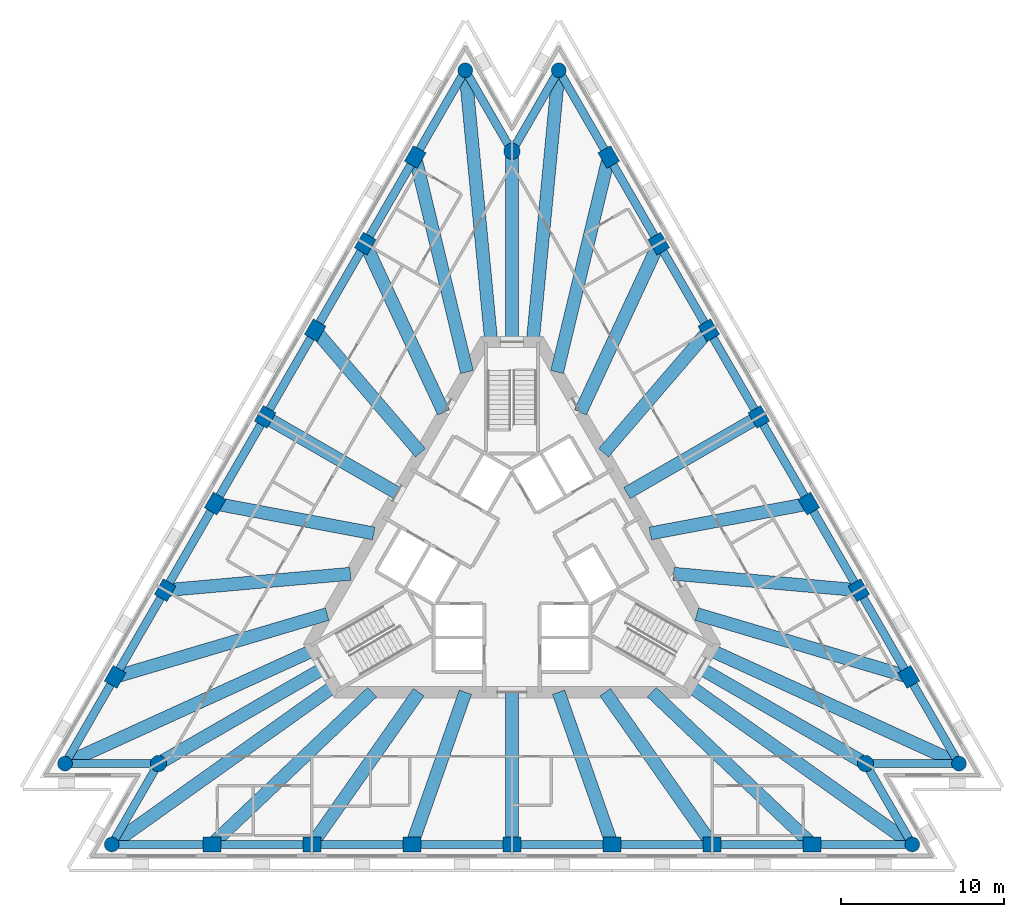
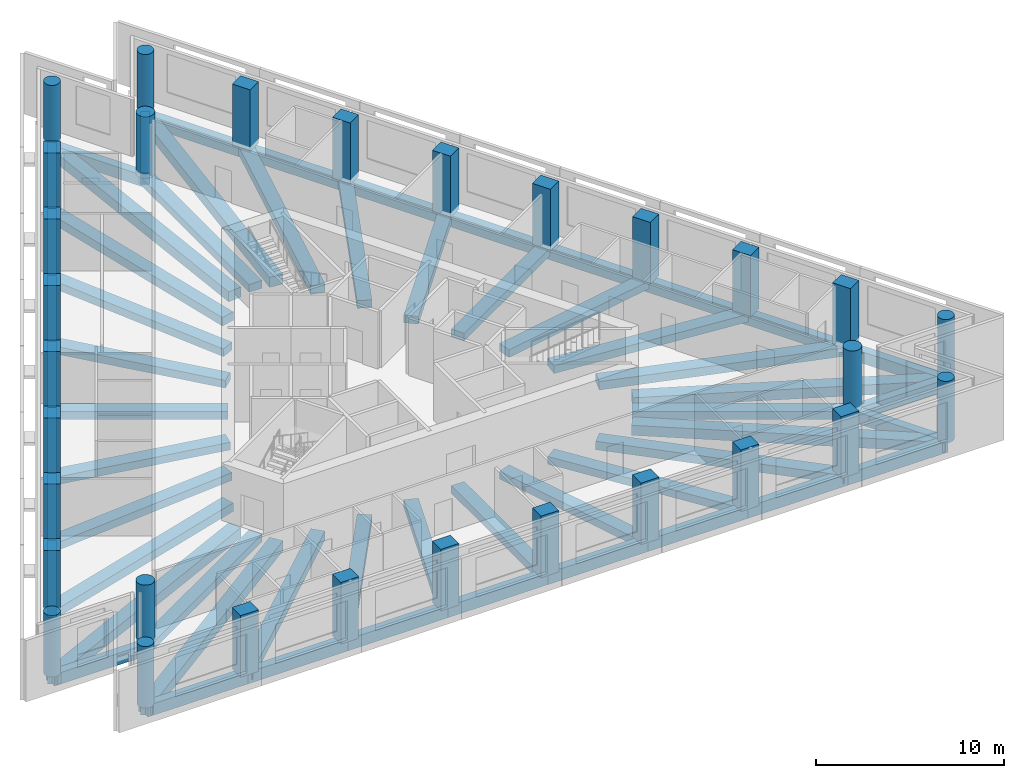
# One storey, part 1 of 9: 60 beams, 30 columns.
"""IFC4 building model written with IfcOpenShell, lengths in metres."""

from ifc_helpers import new_model, si_unit, direction, frame, origin, origin_2d, place, context, subcontext, project, spatial, rectangle, circle, extrude, material, material_profile, profile_set, type_object, element, save


model = new_model("IFC4")

# Units and contexts
model_context = context("Model", 3, precision=1e-05, world=origin(), true_north=direction((0.0, 1.0)))
body_context = subcontext(model_context, "Body", "Model", "MODEL_VIEW")
ifc_project = project(units=[si_unit("LENGTHUNIT", "METRE"), si_unit("AREAUNIT", "SQUARE_METRE"), si_unit("VOLUMEUNIT", "CUBIC_METRE"), si_unit("PLANEANGLEUNIT", "RADIAN"), si_unit("MASSUNIT", "GRAM", prefix="KILO")], contexts=[model_context])

# Site, building, storey
site_placement = place(None, origin())
site = spatial("IfcSite", under=ifc_project, at=site_placement, CompositionType="ELEMENT")
building_placement = place(site_placement, origin())
building = spatial("IfcBuilding", under=site, at=building_placement, Name="Triada Interchange Tower", CompositionType="ELEMENT")
storey_placement = place(building_placement, frame((0.0, 0.0, 211.300048828125)))
storey = spatial("IfcBuildingStorey", under=building, at=storey_placement, Name="L49", CompositionType="ELEMENT", Elevation=211.300048828125)

# Columns
ifc_material = material(Name="Concrete C50/60", Category="concrete")
ifc_material_profile_1 = material_profile(ifc_material, rectangle(XDim=1.10009765625, YDim=0.89990234375, at=origin_2d()), Name="RC 1100x900")
ifc_profile_set_1 = profile_set([ifc_material_profile_1], Name="Concrete C50/60")
column_type_1 = type_object("IfcColumnType", Name="Column C face RC 1100x900", PredefinedType="COLUMN", material=ifc_profile_set_1)
for number, where, z_axis, x_axis, name in (
    (1, (-5.94091796875, 24.714111328125, -0.300048828125), (0.0, 0.0, 1.0), (0.5, 0.866025403784, 0.0), "Column CC02 L49"),
    (2, (-9.012939453125, 19.39306640625, -0.300048828125), (0.0, 0.0, 1.0), (0.5, 0.866025403784, 0.0), "Column CC03 L49"),
    (3, (-12.0849609375, 14.072021484375, -0.300048828125), (0.0, 0.0, 1.0), (0.5, 0.866025403784, 0.0), "Column CC04 L49"),
    (4, (-15.157958984375, 8.7509765625, -0.300048828125), (0.0, 0.0, 1.0), (0.5, 0.866025403784, 0.0), "Column CC05 L49"),
    (5, (-18.22998046875, 3.429931640625, -0.300048828125), (0.0, 0.0, 1.0), (0.5, 0.866025403784, 0.0), "Column CC06 L49"),
    (6, (-21.302001953125, -1.89111328125, -0.300048828125), (0.0, 0.0, 1.0), (0.5, 0.866025403784, 0.0), "Column CC07 L49"),
    (7, (-24.3740234375, -7.2119140625, -0.300048828125), (0.0, 0.0, 1.0), (0.5, 0.866025403784, 0.0), "Column CC08 L49"),
    (8, (-18.43310546875, -17.501953125, -0.300048828125), (0.0, 0.0, 1.0), (1.0, 0.0, 0.0), "Column CC11 L49"),
    (9, (-12.2880859375, -17.501953125, -0.300048828125), (0.0, 0.0, 1.0), (1.0, 0.0, 0.0), "Column CC12 L49"),
    (10, (-6.14404296875, -17.501953125, -0.300048828125), (0.0, 0.0, 1.0), (1.0, 0.0, 0.0), "Column CC13 L49"),
    (11, (0.0, -17.501953125, -0.300048828125), (0.0, 0.0, 1.0), (1.0, 0.0, 0.0), "Column CC14 L49"),
    (12, (6.14404296875, -17.501953125, -0.300048828125), (0.0, 0.0, 1.0), (1.0, 0.0, 0.0), "Column CC15 L49"),
    (13, (12.2890625, -17.501953125, -0.300048828125), (0.0, 0.0, 1.0), (1.0, 0.0, 0.0), "Column CC16 L49"),
    (14, (18.43310546875, -17.501953125, -0.300048828125), (0.0, 0.0, 1.0), (1.0, 0.0, 0.0), "Column CC17 L49"),
    (15, (24.3740234375, -7.2119140625, -0.300048828125), (0.0, 0.0, 1.0), (-0.5, 0.866025403784, 0.0), "Column CC20 L49"),
    (16, (21.302001953125, -1.89111328125, -0.300048828125), (0.0, 0.0, 1.0), (-0.5, 0.866025403784, 0.0), "Column CC21 L49"),
    (17, (18.22998046875, 3.429931640625, -0.300048828125), (0.0, 0.0, 1.0), (-0.5, 0.866025403784, 0.0), "Column CC22 L49"),
    (18, (15.157958984375, 8.7509765625, -0.300048828125), (0.0, 0.0, 1.0), (-0.5, 0.866025403784, 0.0), "Column CC23 L49"),
    (19, (12.0849609375, 14.072021484375, -0.300048828125), (0.0, 0.0, 1.0), (-0.5, 0.866025403784, 0.0), "Column CC24 L49"),
    (20, (9.012939453125, 19.39306640625, -0.300048828125), (0.0, 0.0, 1.0), (-0.5, 0.866025403784, 0.0), "Column CC25 L49"),
    (21, (5.94091796875, 24.714111328125, -0.300048828125), (0.0, 0.0, 1.0), (-0.5, 0.866025403784, 0.0), "Column CC26 L49"),
):
    element("IfcColumn", number, at=place(storey_placement, frame(where, z_axis=z_axis, x_axis=x_axis)), inside=storey, type_object=column_type_1, Name=name, PredefinedType="COLUMN", context=body_context, shape_type="SweptSolid", body=[
        extrude(rectangle(XDim=1.10009765625, YDim=0.89990234375, at=origin_2d()), origin(), (0.0, 0.0, 1.0), 4.0),
    ])
ifc_material_profile_2 = material_profile(ifc_material, circle(Radius=0.449951171875, at=origin_2d()), Name="RC D900")
ifc_profile_set_2 = profile_set([ifc_material_profile_2], Name="Concrete C50/60")
column_type_2 = type_object("IfcColumnType", Name="End column C RC D900", PredefinedType="COLUMN", material=ifc_profile_set_2)
for number, where, z_axis, x_axis, name in (
    (22, (-2.868896484375, 30.034912109375, -0.300048828125), (0.0, 0.0, 1.0), (0.5, 0.866025403784, 0.0), "Column CC01 L49"),
    (23, (-27.446044921875, -12.532958984375, -0.300048828125), (0.0, 0.0, 1.0), (0.5, 0.866025403784, 0.0), "Column CC09 L49"),
    (24, (-24.576904296875, -17.501953125, -0.300048828125), (0.0, 0.0, 1.0), (1.0, 0.0, 0.0), "Column CC10 L49"),
    (25, (24.576904296875, -17.501953125, -0.300048828125), (0.0, 0.0, 1.0), (1.0, 0.0, 0.0), "Column CC18 L49"),
    (26, (27.446044921875, -12.532958984375, -0.300048828125), (0.0, 0.0, 1.0), (-0.5, 0.866025403784, 0.0), "Column CC19 L49"),
    (27, (2.868896484375, 30.034912109375, -0.300048828125), (0.0, 0.0, 1.0), (-0.5, 0.866025403784, 0.0), "Column CC27 L49"),
):
    element("IfcColumn", number, at=place(storey_placement, frame(where, z_axis=z_axis, x_axis=x_axis)), inside=storey, type_object=column_type_2, Name=name, PredefinedType="COLUMN", context=body_context, shape_type="SweptSolid", body=[
        extrude(circle(Radius=0.449951171875, at=origin_2d()), origin(), (0.0, 0.0, 1.0), 4.0),
    ])
ifc_material_profile_3 = material_profile(ifc_material, circle(Radius=0.5, at=origin_2d()), Name="RC D1000")
ifc_profile_set_3 = profile_set([ifc_material_profile_3], Name="Concrete C50/60")
column_type_3 = type_object("IfcColumnType", Name="Mega column C RC D1000", PredefinedType="COLUMN", material=ifc_profile_set_3)
for number, where, z_axis, x_axis, name in (
    (28, (0.0, 25.06689453125, -0.300048828125), (0.0, 0.0, 1.0), (1.0, 0.0, 0.0), "Column MC1 L49"),
    (29, (-21.7080078125, -12.532958984375, -0.300048828125), (0.0, 0.0, 1.0), (1.0, 0.0, 0.0), "Column MC2 L49"),
    (30, (21.7080078125, -12.532958984375, -0.300048828125), (0.0, 0.0, 1.0), (1.0, 0.0, 0.0), "Column MC3 L49"),
):
    element("IfcColumn", number, at=place(storey_placement, frame(where, z_axis=z_axis, x_axis=x_axis)), inside=storey, type_object=column_type_3, Name=name, PredefinedType="COLUMN", context=body_context, shape_type="SweptSolid", body=[
        extrude(circle(Radius=0.5, at=origin_2d()), origin(), (0.0, 0.0, 1.0), 4.0),
    ])

# Beams
ifc_material_profile_4 = material_profile(ifc_material, rectangle(XDim=0.800048828125, YDim=0.5, at=origin_2d()), Name="RC 800x500")
ifc_profile_set_4 = profile_set([ifc_material_profile_4], Name="Concrete C50/60")
beam_type_1 = type_object("IfcBeamType", Name="Radial band beam C RC 800x500", PredefinedType="BEAM", material=ifc_profile_set_4)
beam_1_placement = place(storey_placement, frame((-9.012939453125, 19.39306640625, -0.550048828125), z_axis=(0.421435804437, -0.906858237399, 0.0), x_axis=(0.906858237399, 0.421435804437, 0.0)))
element("IfcBeam", 31, at=beam_1_placement, inside=storey, type_object=beam_type_1, Name="Radial band beam BC03 L49", PredefinedType="BEAM", context=body_context, shape_type="SweptSolid", body=[
    extrude(rectangle(XDim=0.800048828125, YDim=0.5, at=origin_2d()), origin(), (0.0, 0.0, 1.0), 11.427490234375),
])
beam_2_placement = place(storey_placement, frame((-12.0849609375, 14.072021484375, -0.550048828125), z_axis=(0.651553753788, -0.758602468969, 0.0), x_axis=(0.758602468969, 0.651553753788, 0.0)))
element("IfcBeam", 32, at=beam_2_placement, inside=storey, type_object=beam_type_1, Name="Radial band beam BC04 L49", PredefinedType="BEAM", context=body_context, shape_type="SweptSolid", body=[
    extrude(rectangle(XDim=0.800048828125, YDim=0.5, at=origin_2d()), origin(), (0.0, 0.0, 1.0), 9.91162109375),
])
beam_3_placement = place(storey_placement, frame((-15.157958984375, 8.7509765625, -0.550048828125), z_axis=(0.866045182482, -0.499965740726, 0.0), x_axis=(0.499965740726, 0.866045182482, 0.0)))
element("IfcBeam", 33, at=beam_3_placement, inside=storey, type_object=beam_type_1, Name="Radial band beam BC05 L49", PredefinedType="BEAM", context=body_context, shape_type="SweptSolid", body=[
    extrude(rectangle(XDim=0.800048828125, YDim=0.5, at=origin_2d()), origin(), (0.0, 0.0, 1.0), 9.352783203125),
])
beam_4_placement = place(storey_placement, frame((-18.22998046875, 3.429931640625, -0.550048828125), z_axis=(0.982751797305, -0.184929459239, 0.0), x_axis=(0.184929459239, 0.982751797305, 0.0)))
element("IfcBeam", 34, at=beam_4_placement, inside=storey, type_object=beam_type_1, Name="Radial band beam BC06 L49", PredefinedType="BEAM", context=body_context, shape_type="SweptSolid", body=[
    extrude(rectangle(XDim=0.800048828125, YDim=0.5, at=origin_2d()), origin(), (0.0, 0.0, 1.0), 9.911865234375),
])
beam_5_placement = place(storey_placement, frame((-21.302001953125, -1.89111328125, -0.550048828125), z_axis=(0.996086654395, 0.088381994407, 0.0), x_axis=(-0.088381994407, 0.996086654395, 0.0)))
element("IfcBeam", 35, at=beam_5_placement, inside=storey, type_object=beam_type_1, Name="Radial band beam BC07 L49", PredefinedType="BEAM", context=body_context, shape_type="SweptSolid", body=[
    extrude(rectangle(XDim=0.800048828125, YDim=0.5, at=origin_2d()), origin(), (0.0, 0.0, 1.0), 11.427734375),
])
beam_6_placement = place(storey_placement, frame((-21.7080078125, -12.532958984375, -0.550048828125), z_axis=(0.866021094919, 0.500007463099, 0.0), x_axis=(-0.500007463099, 0.866021094919, 0.0)))
element("IfcBeam", 36, at=beam_6_placement, inside=storey, type_object=beam_type_1, Name="Radial band beam BC10 L49", PredefinedType="BEAM", context=body_context, shape_type="SweptSolid", body=[
    extrude(rectangle(XDim=0.800048828125, YDim=0.5, at=origin_2d()), origin(), (0.0, 0.0, 1.0), 11.715576171875),
])
beam_7_placement = place(storey_placement, frame((-12.2880859375, -17.501953125, -0.550048828125), z_axis=(0.574620373641, 0.818420079297, 0.0), x_axis=(-0.818420079297, 0.574620373641, 0.0)))
element("IfcBeam", 37, at=beam_7_placement, inside=storey, type_object=beam_type_1, Name="Radial band beam BC13 L49", PredefinedType="BEAM", context=body_context, shape_type="SweptSolid", body=[
    extrude(rectangle(XDim=0.800048828125, YDim=0.5, at=origin_2d()), origin(), (0.0, 0.0, 1.0), 11.427001953125),
])
beam_8_placement = place(storey_placement, frame((-6.14404296875, -17.501953125, -0.550048828125), z_axis=(0.331225841465, 0.94355150466, 0.0), x_axis=(-0.94355150466, 0.331225841465, 0.0)))
element("IfcBeam", 38, at=beam_8_placement, inside=storey, type_object=beam_type_1, Name="Radial band beam BC14 L49", PredefinedType="BEAM", context=body_context, shape_type="SweptSolid", body=[
    extrude(rectangle(XDim=0.800048828125, YDim=0.5, at=origin_2d()), origin(), (0.0, 0.0, 1.0), 9.91162109375),
])
beam_9_placement = place(storey_placement, frame((0.0, -17.501953125, -0.550048828125), z_axis=(0.0, 1.0, 0.0), x_axis=(-1.0, 0.0, 0.0)))
element("IfcBeam", 39, at=beam_9_placement, inside=storey, type_object=beam_type_1, Name="Radial band beam BC15 L49", PredefinedType="BEAM", context=body_context, shape_type="SweptSolid", body=[
    extrude(rectangle(XDim=0.800048828125, YDim=0.5, at=origin_2d()), origin(), (0.0, 0.0, 1.0), 9.35205078125),
])
beam_10_placement = place(storey_placement, frame((6.14404296875, -17.501953125, -0.550048828125), z_axis=(-0.331225841465, 0.94355150466, 0.0), x_axis=(-0.94355150466, -0.331225841465, 0.0)))
element("IfcBeam", 40, at=beam_10_placement, inside=storey, type_object=beam_type_1, Name="Radial band beam BC16 L49", PredefinedType="BEAM", context=body_context, shape_type="SweptSolid", body=[
    extrude(rectangle(XDim=0.800048828125, YDim=0.5, at=origin_2d()), origin(), (0.0, 0.0, 1.0), 9.91162109375),
])
beam_11_placement = place(storey_placement, frame((12.2890625, -17.501953125, -0.550048828125), z_axis=(-0.574620373641, 0.818420079297, 0.0), x_axis=(-0.818420079297, -0.574620373641, 0.0)))
element("IfcBeam", 41, at=beam_11_placement, inside=storey, type_object=beam_type_1, Name="Radial band beam BC17 L49", PredefinedType="BEAM", context=body_context, shape_type="SweptSolid", body=[
    extrude(rectangle(XDim=0.800048828125, YDim=0.5, at=origin_2d()), origin(), (0.0, 0.0, 1.0), 11.427001953125),
])
beam_12_placement = place(storey_placement, frame((21.7080078125, -12.532958984375, -0.550048828125), z_axis=(-0.866021094919, 0.500007463099, 0.0), x_axis=(-0.500007463099, -0.866021094919, 0.0)))
element("IfcBeam", 42, at=beam_12_placement, inside=storey, type_object=beam_type_1, Name="Radial band beam BC20 L49", PredefinedType="BEAM", context=body_context, shape_type="SweptSolid", body=[
    extrude(rectangle(XDim=0.800048828125, YDim=0.5, at=origin_2d()), origin(), (0.0, 0.0, 1.0), 11.715576171875),
])
beam_13_placement = place(storey_placement, frame((21.302001953125, -1.89111328125, -0.550048828125), z_axis=(-0.996086654395, 0.088381994407, 0.0), x_axis=(-0.088381994407, -0.996086654395, 0.0)))
element("IfcBeam", 43, at=beam_13_placement, inside=storey, type_object=beam_type_1, Name="Radial band beam BC23 L49", PredefinedType="BEAM", context=body_context, shape_type="SweptSolid", body=[
    extrude(rectangle(XDim=0.800048828125, YDim=0.5, at=origin_2d()), origin(), (0.0, 0.0, 1.0), 11.427734375),
])
beam_14_placement = place(storey_placement, frame((18.22998046875, 3.429931640625, -0.550048828125), z_axis=(-0.982751797305, -0.184929459239, 0.0), x_axis=(0.184929459239, -0.982751797305, 0.0)))
element("IfcBeam", 44, at=beam_14_placement, inside=storey, type_object=beam_type_1, Name="Radial band beam BC24 L49", PredefinedType="BEAM", context=body_context, shape_type="SweptSolid", body=[
    extrude(rectangle(XDim=0.800048828125, YDim=0.5, at=origin_2d()), origin(), (0.0, 0.0, 1.0), 9.911865234375),
])
beam_15_placement = place(storey_placement, frame((15.157958984375, 8.7509765625, -0.550048828125), z_axis=(-0.866045182482, -0.499965740726, 0.0), x_axis=(0.499965740726, -0.866045182482, 0.0)))
element("IfcBeam", 45, at=beam_15_placement, inside=storey, type_object=beam_type_1, Name="Radial band beam BC25 L49", PredefinedType="BEAM", context=body_context, shape_type="SweptSolid", body=[
    extrude(rectangle(XDim=0.800048828125, YDim=0.5, at=origin_2d()), origin(), (0.0, 0.0, 1.0), 9.352783203125),
])
beam_16_placement = place(storey_placement, frame((12.0849609375, 14.072021484375, -0.550048828125), z_axis=(-0.651553753788, -0.758602468969, 0.0), x_axis=(0.758602468969, -0.651553753788, 0.0)))
element("IfcBeam", 46, at=beam_16_placement, inside=storey, type_object=beam_type_1, Name="Radial band beam BC26 L49", PredefinedType="BEAM", context=body_context, shape_type="SweptSolid", body=[
    extrude(rectangle(XDim=0.800048828125, YDim=0.5, at=origin_2d()), origin(), (0.0, 0.0, 1.0), 9.91162109375),
])
beam_17_placement = place(storey_placement, frame((9.012939453125, 19.39306640625, -0.550048828125), z_axis=(-0.421435804437, -0.906858237399, 0.0), x_axis=(0.906858237399, -0.421435804437, 0.0)))
element("IfcBeam", 47, at=beam_17_placement, inside=storey, type_object=beam_type_1, Name="Radial band beam BC27 L49", PredefinedType="BEAM", context=body_context, shape_type="SweptSolid", body=[
    extrude(rectangle(XDim=0.800048828125, YDim=0.5, at=origin_2d()), origin(), (0.0, 0.0, 1.0), 11.427490234375),
])
beam_18_placement = place(storey_placement, frame((0.0, 25.06689453125, -0.550048828125), z_axis=(0.0, -1.0, 0.0), x_axis=(1.0, 0.0, 0.0)))
element("IfcBeam", 48, at=beam_18_placement, inside=storey, type_object=beam_type_1, Name="Radial band beam BC30 L49", PredefinedType="BEAM", context=body_context, shape_type="SweptSolid", body=[
    extrude(rectangle(XDim=0.800048828125, YDim=0.5, at=origin_2d()), origin(), (0.0, 0.0, 1.0), 11.716796875),
])
ifc_material_profile_5 = material_profile(ifc_material, rectangle(XDim=0.800048828125, YDim=0.550048828125, at=origin_2d()), Name="RC 800x550")
ifc_profile_set_5 = profile_set([ifc_material_profile_5], Name="Concrete C50/60")
beam_type_2 = type_object("IfcBeamType", Name="Radial band beam C RC 800x550", PredefinedType="BEAM", material=ifc_profile_set_5)
for number, where, z_axis, x_axis, name in (
    (49, (-5.94091796875, 24.714111328125, -0.574951171875), (0.233745486044, -0.972297818446, 0.0), (0.972297818446, 0.233745486044, 0.0), "Radial band beam BC02 L49"),
    (50, (-24.3740234375, -7.2119140625, -0.574951171875), (0.958897064594, 0.283754153295, 0.0), (-0.283754153295, 0.958897064594, 0.0), "Radial band beam BC08 L49"),
):
    element("IfcBeam", number, at=place(storey_placement, frame(where, z_axis=z_axis, x_axis=x_axis)), inside=storey, type_object=beam_type_2, Name=name, PredefinedType="BEAM", context=body_context, shape_type="SweptSolid", body=[
        extrude(rectangle(XDim=0.800048828125, YDim=0.550048828125, at=origin_2d()), origin(), (0.0, 0.0, 1.0), 13.582275390625),
    ])
for number, where, z_axis, x_axis, name in (
    (51, (-18.43310546875, -17.501953125, -0.574951171875), (0.725169057196, 0.688570866713, 0.0), (-0.688570866713, 0.725169057196, 0.0), "Radial band beam BC12 L49"),
    (52, (18.43310546875, -17.501953125, -0.574951171875), (-0.725169057196, 0.688570866713, 0.0), (-0.688570866713, -0.725169057196, 0.0), "Radial band beam BC18 L49"),
):
    element("IfcBeam", number, at=place(storey_placement, frame(where, z_axis=z_axis, x_axis=x_axis)), inside=storey, type_object=beam_type_2, Name=name, PredefinedType="BEAM", context=body_context, shape_type="SweptSolid", body=[
        extrude(rectangle(XDim=0.800048828125, YDim=0.550048828125, at=origin_2d()), origin(), (0.0, 0.0, 1.0), 13.581787109375),
    ])
for number, where, z_axis, x_axis, name in (
    (53, (24.3740234375, -7.2119140625, -0.574951171875), (-0.958897064594, 0.283754153295, 0.0), (-0.283754153295, -0.958897064594, 0.0), "Radial band beam BC22 L49"),
    (54, (5.94091796875, 24.714111328125, -0.574951171875), (-0.233745486044, -0.972297818446, 0.0), (0.972297818446, -0.233745486044, 0.0), "Radial band beam BC28 L49"),
):
    element("IfcBeam", number, at=place(storey_placement, frame(where, z_axis=z_axis, x_axis=x_axis)), inside=storey, type_object=beam_type_2, Name=name, PredefinedType="BEAM", context=body_context, shape_type="SweptSolid", body=[
        extrude(rectangle(XDim=0.800048828125, YDim=0.550048828125, at=origin_2d()), origin(), (0.0, 0.0, 1.0), 13.582275390625),
    ])
ifc_material_profile_6 = material_profile(ifc_material, rectangle(XDim=0.800048828125, YDim=0.64990234375, at=origin_2d()), Name="RC 800x650")
ifc_profile_set_6 = profile_set([ifc_material_profile_6], Name="Concrete C50/60")
beam_type_3 = type_object("IfcBeamType", Name="Radial band beam C RC 800x650", PredefinedType="BEAM", material=ifc_profile_set_6)
beam_19_placement = place(storey_placement, frame((-2.868896484375, 30.034912109375, -0.625), z_axis=(0.095102605267, -0.995467475346, 0.0), x_axis=(0.995467475346, 0.095102605267, 0.0)))
element("IfcBeam", 55, at=beam_19_placement, inside=storey, type_object=beam_type_3, Name="Radial band beam BC01 L49", PredefinedType="BEAM", context=body_context, shape_type="SweptSolid", body=[
    extrude(rectangle(XDim=0.800048828125, YDim=0.64990234375, at=origin_2d()), origin(), (0.0, 0.0, 1.0), 16.7607421875),
])
beam_20_placement = place(storey_placement, frame((-27.446044921875, -12.532958984375, -0.625), z_axis=(0.909658813197, 0.415356285101, 0.0), x_axis=(-0.415356285101, 0.909658813197, 0.0)))
element("IfcBeam", 56, at=beam_20_placement, inside=storey, type_object=beam_type_3, Name="Radial band beam BC09 L49", PredefinedType="BEAM", context=body_context, shape_type="SweptSolid", body=[
    extrude(rectangle(XDim=0.800048828125, YDim=0.64990234375, at=origin_2d()), origin(), (0.0, 0.0, 1.0), 16.76123046875),
])
for number, where, z_axis, x_axis, name in (
    (57, (-24.576904296875, -17.501953125, -0.625), (0.814554450397, 0.580087103234, 0.0), (-0.580087103234, 0.814554450397, 0.0), "Radial band beam BC11 L49"),
    (58, (24.576904296875, -17.501953125, -0.625), (-0.814554450397, 0.580087103234, 0.0), (-0.580087103234, -0.814554450397, 0.0), "Radial band beam BC19 L49"),
):
    element("IfcBeam", number, at=place(storey_placement, frame(where, z_axis=z_axis, x_axis=x_axis)), inside=storey, type_object=beam_type_3, Name=name, PredefinedType="BEAM", context=body_context, shape_type="SweptSolid", body=[
        extrude(rectangle(XDim=0.800048828125, YDim=0.64990234375, at=origin_2d()), origin(), (0.0, 0.0, 1.0), 16.760986328125),
    ])
beam_21_placement = place(storey_placement, frame((27.446044921875, -12.532958984375, -0.625), z_axis=(-0.909658813197, 0.415356285101, 0.0), x_axis=(-0.415356285101, -0.909658813197, 0.0)))
element("IfcBeam", 59, at=beam_21_placement, inside=storey, type_object=beam_type_3, Name="Radial band beam BC21 L49", PredefinedType="BEAM", context=body_context, shape_type="SweptSolid", body=[
    extrude(rectangle(XDim=0.800048828125, YDim=0.64990234375, at=origin_2d()), origin(), (0.0, 0.0, 1.0), 16.76123046875),
])
beam_22_placement = place(storey_placement, frame((2.868896484375, 30.034912109375, -0.625), z_axis=(-0.095102605267, -0.995467475346, 0.0), x_axis=(0.995467475346, -0.095102605267, 0.0)))
element("IfcBeam", 60, at=beam_22_placement, inside=storey, type_object=beam_type_3, Name="Radial band beam BC29 L49", PredefinedType="BEAM", context=body_context, shape_type="SweptSolid", body=[
    extrude(rectangle(XDim=0.800048828125, YDim=0.64990234375, at=origin_2d()), origin(), (0.0, 0.0, 1.0), 16.7607421875),
])
ifc_material_profile_7 = material_profile(ifc_material, rectangle(XDim=0.5, YDim=0.75, at=origin_2d()), Name="RC 500x750")
ifc_profile_set_7 = profile_set([ifc_material_profile_7], Name="Concrete C50/60")
beam_type_4 = type_object("IfcBeamType", Name="Spandrel beam C RC 500x750", PredefinedType="BEAM", material=ifc_profile_set_7)
beam_23_placement = place(storey_placement, frame((-2.868896484375, 30.034912109375, -0.675048828125), z_axis=(-0.500006801911, -0.866021476663, 0.0), x_axis=(0.866021476663, -0.500006801911, 0.0)))
element("IfcBeam", 61, at=beam_23_placement, inside=storey, type_object=beam_type_4, Name="Spandrel beam EC01 L49", PredefinedType="BEAM", context=body_context, shape_type="SweptSolid", body=[
    extrude(rectangle(XDim=0.5, YDim=0.75, at=origin_2d()), origin(), (0.0, 0.0, 1.0), 6.14404296875),
])
for number, where, z_axis, x_axis, name in (
    (62, (-5.94091796875, 24.714111328125, -0.675048828125), (-0.499989595756, -0.866031410594, 0.0), (0.866031410594, -0.499989595756, 0.0), "Spandrel beam EC02 L49"),
    (63, (-9.012939453125, 19.39306640625, -0.675048828125), (-0.499989595756, -0.866031410594, 0.0), (0.866031410594, -0.499989595756, 0.0), "Spandrel beam EC03 L49"),
):
    element("IfcBeam", number, at=place(storey_placement, frame(where, z_axis=z_axis, x_axis=x_axis)), inside=storey, type_object=beam_type_4, Name=name, PredefinedType="BEAM", context=body_context, shape_type="SweptSolid", body=[
        extrude(rectangle(XDim=0.5, YDim=0.75, at=origin_2d()), origin(), (0.0, 0.0, 1.0), 6.144287109375),
    ])
beam_24_placement = place(storey_placement, frame((-12.0849609375, 14.072021484375, -0.675048828125), z_axis=(-0.500108789176, -0.865962585213, 0.0), x_axis=(0.865962585213, -0.500108789176, 0.0)))
element("IfcBeam", 64, at=beam_24_placement, inside=storey, type_object=beam_type_4, Name="Spandrel beam EC04 L49", PredefinedType="BEAM", context=body_context, shape_type="SweptSolid", body=[
    extrude(rectangle(XDim=0.5, YDim=0.75, at=origin_2d()), origin(), (0.0, 0.0, 1.0), 6.144775390625),
])
for number, where, z_axis, x_axis, name in (
    (65, (-15.157958984375, 8.7509765625, -0.675048828125), (-0.499989595756, -0.866031410594, 0.0), (0.866031410594, -0.499989595756, 0.0), "Spandrel beam EC05 L49"),
    (66, (-18.22998046875, 3.429931640625, -0.675048828125), (-0.499989595756, -0.866031410594, 0.0), (0.866031410594, -0.499989595756, 0.0), "Spandrel beam EC06 L49"),
):
    element("IfcBeam", number, at=place(storey_placement, frame(where, z_axis=z_axis, x_axis=x_axis)), inside=storey, type_object=beam_type_4, Name=name, PredefinedType="BEAM", context=body_context, shape_type="SweptSolid", body=[
        extrude(rectangle(XDim=0.5, YDim=0.75, at=origin_2d()), origin(), (0.0, 0.0, 1.0), 6.144287109375),
    ])
beam_25_placement = place(storey_placement, frame((-21.302001953125, -1.89111328125, -0.675048828125), z_axis=(-0.500006801911, -0.866021476663, 0.0), x_axis=(0.866021476663, -0.500006801911, 0.0)))
element("IfcBeam", 67, at=beam_25_placement, inside=storey, type_object=beam_type_4, Name="Spandrel beam EC07 L49", PredefinedType="BEAM", context=body_context, shape_type="SweptSolid", body=[
    extrude(rectangle(XDim=0.5, YDim=0.75, at=origin_2d()), origin(), (0.0, 0.0, 1.0), 6.14404296875),
])
beam_26_placement = place(storey_placement, frame((-24.3740234375, -7.2119140625, -0.675048828125), z_axis=(-0.499989595756, -0.866031410594, 0.0), x_axis=(0.866031410594, -0.499989595756, 0.0)))
element("IfcBeam", 68, at=beam_26_placement, inside=storey, type_object=beam_type_4, Name="Spandrel beam EC08 L49", PredefinedType="BEAM", context=body_context, shape_type="SweptSolid", body=[
    extrude(rectangle(XDim=0.5, YDim=0.75, at=origin_2d()), origin(), (0.0, 0.0, 1.0), 6.144287109375),
])
beam_27_placement = place(storey_placement, frame((-27.446044921875, -12.532958984375, -0.675048828125), z_axis=(1.0, 0.0, 0.0), x_axis=(0.0, 1.0, 0.0)))
element("IfcBeam", 69, at=beam_27_placement, inside=storey, type_object=beam_type_4, Name="Spandrel beam EC09 L49", PredefinedType="BEAM", context=body_context, shape_type="SweptSolid", body=[
    extrude(rectangle(XDim=0.5, YDim=0.75, at=origin_2d()), origin(), (0.0, 0.0, 1.0), 5.738037109375),
])
beam_28_placement = place(storey_placement, frame((-21.7080078125, -12.532958984375, -0.675048828125), z_axis=(-0.500006062455, -0.866021903596, 0.0), x_axis=(0.866021903596, -0.500006062455, 0.0)))
element("IfcBeam", 70, at=beam_28_placement, inside=storey, type_object=beam_type_4, Name="Spandrel beam EC10 L49", PredefinedType="BEAM", context=body_context, shape_type="SweptSolid", body=[
    extrude(rectangle(XDim=0.5, YDim=0.75, at=origin_2d()), origin(), (0.0, 0.0, 1.0), 5.73779296875),
])
beam_29_placement = place(storey_placement, frame((-24.576904296875, -17.501953125, -0.675048828125), z_axis=(1.0, 0.0, 0.0), x_axis=(0.0, 1.0, 0.0)))
element("IfcBeam", 71, at=beam_29_placement, inside=storey, type_object=beam_type_4, Name="Spandrel beam EC11 L49", PredefinedType="BEAM", context=body_context, shape_type="SweptSolid", body=[
    extrude(rectangle(XDim=0.5, YDim=0.75, at=origin_2d()), origin(), (0.0, 0.0, 1.0), 6.143798828125),
])
beam_30_placement = place(storey_placement, frame((-18.43310546875, -17.501953125, -0.675048828125), z_axis=(1.0, 0.0, 0.0), x_axis=(0.0, 1.0, 0.0)))
element("IfcBeam", 72, at=beam_30_placement, inside=storey, type_object=beam_type_4, Name="Spandrel beam EC12 L49", PredefinedType="BEAM", context=body_context, shape_type="SweptSolid", body=[
    extrude(rectangle(XDim=0.5, YDim=0.75, at=origin_2d()), origin(), (0.0, 0.0, 1.0), 6.14501953125),
])
for number, where, z_axis, x_axis, name in (
    (73, (-12.2880859375, -17.501953125, -0.675048828125), (1.0, 0.0, 0.0), (0.0, 1.0, 0.0), "Spandrel beam EC13 L49"),
    (74, (-6.14404296875, -17.501953125, -0.675048828125), (1.0, 0.0, 0.0), (0.0, 1.0, 0.0), "Spandrel beam EC14 L49"),
    (75, (0.0, -17.501953125, -0.675048828125), (1.0, 0.0, 0.0), (0.0, 1.0, 0.0), "Spandrel beam EC15 L49"),
):
    element("IfcBeam", number, at=place(storey_placement, frame(where, z_axis=z_axis, x_axis=x_axis)), inside=storey, type_object=beam_type_4, Name=name, PredefinedType="BEAM", context=body_context, shape_type="SweptSolid", body=[
        extrude(rectangle(XDim=0.5, YDim=0.75, at=origin_2d()), origin(), (0.0, 0.0, 1.0), 6.14404296875),
    ])
beam_31_placement = place(storey_placement, frame((6.14404296875, -17.501953125, -0.675048828125), z_axis=(1.0, 0.0, 0.0), x_axis=(0.0, 1.0, 0.0)))
element("IfcBeam", 76, at=beam_31_placement, inside=storey, type_object=beam_type_4, Name="Spandrel beam EC16 L49", PredefinedType="BEAM", context=body_context, shape_type="SweptSolid", body=[
    extrude(rectangle(XDim=0.5, YDim=0.75, at=origin_2d()), origin(), (0.0, 0.0, 1.0), 6.14501953125),
])
beam_32_placement = place(storey_placement, frame((12.2890625, -17.501953125, -0.675048828125), z_axis=(1.0, 0.0, 0.0), x_axis=(0.0, 1.0, 0.0)))
element("IfcBeam", 77, at=beam_32_placement, inside=storey, type_object=beam_type_4, Name="Spandrel beam EC17 L49", PredefinedType="BEAM", context=body_context, shape_type="SweptSolid", body=[
    extrude(rectangle(XDim=0.5, YDim=0.75, at=origin_2d()), origin(), (0.0, 0.0, 1.0), 6.14404296875),
])
beam_33_placement = place(storey_placement, frame((18.43310546875, -17.501953125, -0.675048828125), z_axis=(1.0, 0.0, 0.0), x_axis=(0.0, 1.0, 0.0)))
element("IfcBeam", 78, at=beam_33_placement, inside=storey, type_object=beam_type_4, Name="Spandrel beam EC18 L49", PredefinedType="BEAM", context=body_context, shape_type="SweptSolid", body=[
    extrude(rectangle(XDim=0.5, YDim=0.75, at=origin_2d()), origin(), (0.0, 0.0, 1.0), 6.143798828125),
])
beam_34_placement = place(storey_placement, frame((24.576904296875, -17.501953125, -0.675048828125), z_axis=(-0.500006062455, 0.866021903596, 0.0), x_axis=(-0.866021903596, -0.500006062455, 0.0)))
element("IfcBeam", 79, at=beam_34_placement, inside=storey, type_object=beam_type_4, Name="Spandrel beam EC19 L49", PredefinedType="BEAM", context=body_context, shape_type="SweptSolid", body=[
    extrude(rectangle(XDim=0.5, YDim=0.75, at=origin_2d()), origin(), (0.0, 0.0, 1.0), 5.73779296875),
])
beam_35_placement = place(storey_placement, frame((21.7080078125, -12.532958984375, -0.675048828125), z_axis=(1.0, 0.0, 0.0), x_axis=(0.0, 1.0, 0.0)))
element("IfcBeam", 80, at=beam_35_placement, inside=storey, type_object=beam_type_4, Name="Spandrel beam EC20 L49", PredefinedType="BEAM", context=body_context, shape_type="SweptSolid", body=[
    extrude(rectangle(XDim=0.5, YDim=0.75, at=origin_2d()), origin(), (0.0, 0.0, 1.0), 5.738037109375),
])
beam_36_placement = place(storey_placement, frame((27.446044921875, -12.532958984375, -0.675048828125), z_axis=(-0.499989595756, 0.866031410594, 0.0), x_axis=(-0.866031410594, -0.499989595756, 0.0)))
element("IfcBeam", 81, at=beam_36_placement, inside=storey, type_object=beam_type_4, Name="Spandrel beam EC21 L49", PredefinedType="BEAM", context=body_context, shape_type="SweptSolid", body=[
    extrude(rectangle(XDim=0.5, YDim=0.75, at=origin_2d()), origin(), (0.0, 0.0, 1.0), 6.144287109375),
])
beam_37_placement = place(storey_placement, frame((24.3740234375, -7.2119140625, -0.675048828125), z_axis=(-0.500006801911, 0.866021476663, 0.0), x_axis=(-0.866021476663, -0.500006801911, 0.0)))
element("IfcBeam", 82, at=beam_37_placement, inside=storey, type_object=beam_type_4, Name="Spandrel beam EC22 L49", PredefinedType="BEAM", context=body_context, shape_type="SweptSolid", body=[
    extrude(rectangle(XDim=0.5, YDim=0.75, at=origin_2d()), origin(), (0.0, 0.0, 1.0), 6.14404296875),
])
for number, where, z_axis, x_axis, name in (
    (83, (21.302001953125, -1.89111328125, -0.675048828125), (-0.499989595756, 0.866031410594, 0.0), (-0.866031410594, -0.499989595756, 0.0), "Spandrel beam EC23 L49"),
    (84, (18.22998046875, 3.429931640625, -0.675048828125), (-0.499989595756, 0.866031410594, 0.0), (-0.866031410594, -0.499989595756, 0.0), "Spandrel beam EC24 L49"),
):
    element("IfcBeam", number, at=place(storey_placement, frame(where, z_axis=z_axis, x_axis=x_axis)), inside=storey, type_object=beam_type_4, Name=name, PredefinedType="BEAM", context=body_context, shape_type="SweptSolid", body=[
        extrude(rectangle(XDim=0.5, YDim=0.75, at=origin_2d()), origin(), (0.0, 0.0, 1.0), 6.144287109375),
    ])
beam_38_placement = place(storey_placement, frame((15.157958984375, 8.7509765625, -0.675048828125), z_axis=(-0.500108789176, 0.865962585213, 0.0), x_axis=(-0.865962585213, -0.500108789176, 0.0)))
element("IfcBeam", 85, at=beam_38_placement, inside=storey, type_object=beam_type_4, Name="Spandrel beam EC25 L49", PredefinedType="BEAM", context=body_context, shape_type="SweptSolid", body=[
    extrude(rectangle(XDim=0.5, YDim=0.75, at=origin_2d()), origin(), (0.0, 0.0, 1.0), 6.144775390625),
])
for number, where, z_axis, x_axis, name in (
    (86, (12.0849609375, 14.072021484375, -0.675048828125), (-0.499989595756, 0.866031410594, 0.0), (-0.866031410594, -0.499989595756, 0.0), "Spandrel beam EC26 L49"),
    (87, (9.012939453125, 19.39306640625, -0.675048828125), (-0.499989595756, 0.866031410594, 0.0), (-0.866031410594, -0.499989595756, 0.0), "Spandrel beam EC27 L49"),
):
    element("IfcBeam", number, at=place(storey_placement, frame(where, z_axis=z_axis, x_axis=x_axis)), inside=storey, type_object=beam_type_4, Name=name, PredefinedType="BEAM", context=body_context, shape_type="SweptSolid", body=[
        extrude(rectangle(XDim=0.5, YDim=0.75, at=origin_2d()), origin(), (0.0, 0.0, 1.0), 6.144287109375),
    ])
beam_39_placement = place(storey_placement, frame((5.94091796875, 24.714111328125, -0.675048828125), z_axis=(-0.500006801911, 0.866021476663, 0.0), x_axis=(-0.866021476663, -0.500006801911, 0.0)))
element("IfcBeam", 88, at=beam_39_placement, inside=storey, type_object=beam_type_4, Name="Spandrel beam EC28 L49", PredefinedType="BEAM", context=body_context, shape_type="SweptSolid", body=[
    extrude(rectangle(XDim=0.5, YDim=0.75, at=origin_2d()), origin(), (0.0, 0.0, 1.0), 6.14404296875),
])
for number, where, z_axis, x_axis, name in (
    (89, (2.868896484375, 30.034912109375, -0.675048828125), (-0.500079771016, -0.865979343068, 0.0), (0.865979343068, -0.500079771016, 0.0), "Spandrel beam EC29 L49"),
    (90, (0.0, 25.06689453125, -0.675048828125), (-0.500079771016, 0.865979343068, 0.0), (-0.865979343068, -0.500079771016, 0.0), "Spandrel beam EC30 L49"),
):
    element("IfcBeam", number, at=place(storey_placement, frame(where, z_axis=z_axis, x_axis=x_axis)), inside=storey, type_object=beam_type_4, Name=name, PredefinedType="BEAM", context=body_context, shape_type="SweptSolid", body=[
        extrude(rectangle(XDim=0.5, YDim=0.75, at=origin_2d()), origin(), (0.0, 0.0, 1.0), 5.73681640625),
    ])

save(model, "model.ifc")
